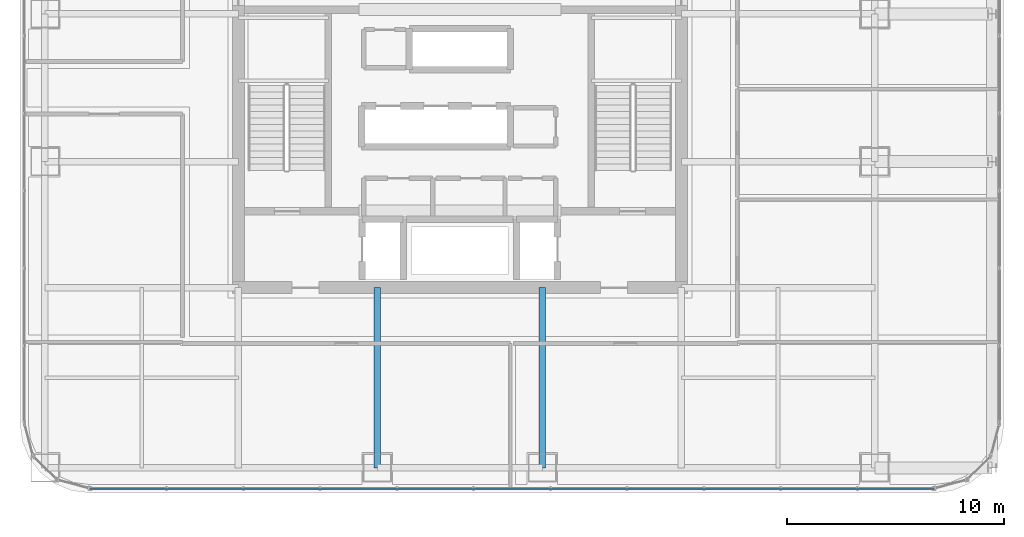
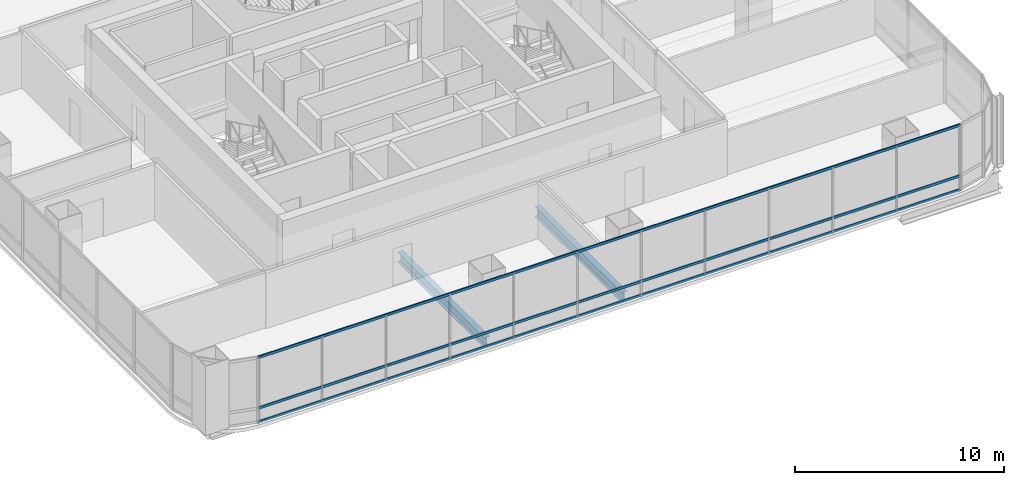
# One storey, part 7 of 39: 3 members, 2 beams, 1 element without a shape of its own.
"""IFC4 building model written with IfcOpenShell, lengths in metres."""

from ifc_helpers import new_model, si_unit, direction, frame, origin, origin_2d, place, context, subcontext, project, spatial, hollow_rectangle, i_section, extrude, material, material_profile, profile_set, type_object, element, aggregate, save


model = new_model("IFC4")

# Units and contexts
model_context = context("Model", 3, precision=1e-05, world=origin(), true_north=direction((0.0, 1.0)))
body_context = subcontext(model_context, "Body", "Model", "MODEL_VIEW")
ifc_project = project(units=[si_unit("LENGTHUNIT", "METRE"), si_unit("AREAUNIT", "SQUARE_METRE"), si_unit("VOLUMEUNIT", "CUBIC_METRE"), si_unit("PLANEANGLEUNIT", "RADIAN"), si_unit("MASSUNIT", "GRAM", prefix="KILO")], contexts=[model_context])

# Site, building, storey
site_placement = place(None, origin())
site = spatial("IfcSite", under=ifc_project, at=site_placement, CompositionType="ELEMENT")
building_placement = place(site_placement, origin())
building = spatial("IfcBuilding", under=site, at=building_placement, Name="Punatoya Terracotta Tower", CompositionType="ELEMENT")
storey_placement = place(building_placement, frame((0.0, 0.0, 275.699951171875)))
storey = spatial("IfcBuildingStorey", under=building, at=storey_placement, Name="L65", CompositionType="ELEMENT", Elevation=275.699951171875)

# Beams
ifc_material_1 = material(Name="Steel S355", Category="steel")
ifc_material_profile_1 = material_profile(ifc_material_1, i_section(OverallWidth=0.300048828125, OverallDepth=0.60009765625, WebThickness=0.015380859375, FlangeThickness=0.030029296875, FilletRadius=0.01806640625, at=origin_2d()))
ifc_profile_set_1 = profile_set([ifc_material_profile_1], Name="Steel S355")
beam_type = type_object("IfcBeamType", Name="BM-PRI-600", PredefinedType="BEAM", material=ifc_profile_set_1)
for number, where, z_axis, x_axis, name in (
    (1, (-3.800048828125, -17.5, -0.5), (0.0, 1.0, 0.0), (-1.0, 0.0, 0.0), "BM-L65-PR-S2"),
    (2, (3.800048828125, -17.5, -0.5), (0.0, 1.0, 0.0), (-1.0, 0.0, 0.0), "BM-L65-PR-S3"),
):
    element("IfcBeam", number, at=place(storey_placement, frame(where, z_axis=z_axis, x_axis=x_axis)), inside=storey, type_object=beam_type, Name=name, PredefinedType="BEAM", context=body_context, shape_type="SweptSolid", body=[
        extrude(i_section(OverallWidth=0.300048828125, OverallDepth=0.60009765625, WebThickness=0.015380859375, FlangeThickness=0.030029296875, FilletRadius=0.01806640625, at=origin_2d()), origin(), (0.0, 0.0, 1.0), 8.300048828125),
    ])

# Curtain wall, members
ifc_material_2 = material(Name="Aluminium 6063-T6 + Double Low-E Glass", Category="aluminium")
curtain_wall_type = type_object("IfcCurtainWallType", Name="CW-M3", PredefinedType="NOTDEFINED", material=ifc_material_2)
curtain_wall_placement = place(storey_placement, origin())
curtain_wall = element("IfcCurtainWall", 3, at=curtain_wall_placement, inside=storey, type_object=curtain_wall_type, Name="L65 Curtain Wall CW-L65-S01-1", PredefinedType="NOTDEFINED")
ifc_material_3 = material(Name="Aluminium 6063-T6", Category="aluminium")
ifc_material_profile_2 = material_profile(ifc_material_3, hollow_rectangle(XDim=0.068115234375, YDim=0.14990234375, WallThickness=0.00390625, at=origin_2d()))
ifc_profile_set_2 = profile_set([ifc_material_profile_2], Name="Aluminium 6063-T6")
member_type = type_object("IfcMemberType", Name="CW-TRN-TYP", PredefinedType="USERDEFINED", material=ifc_profile_set_2)
member_1_placement = place(storey_placement, frame((-17.036865234375, -18.449951171875, 0.0400390625), z_axis=(1.0, 0.0, 0.0), x_axis=(0.0, 1.0, 0.0)))
member_1 = element("IfcMember", 4, at=member_1_placement, type_object=member_type, Name="CW-L65-S01-1 Transom 1", ObjectType="TRANSOM", PredefinedType="USERDEFINED", context=body_context, shape_type="SweptSolid", body=[
    extrude(hollow_rectangle(XDim=0.068115234375, YDim=0.14990234375, WallThickness=0.00390625, at=origin_2d()), origin(), (0.0, 0.0, 1.0), 38.873779296875),
])
member_2_placement = place(storey_placement, frame((-17.036865234375, -18.449951171875, 0.85009765625), z_axis=(1.0, 0.0, 0.0), x_axis=(0.0, 1.0, 0.0)))
member_2 = element("IfcMember", 5, at=member_2_placement, type_object=member_type, Name="CW-L65-S01-1 Transom 2", ObjectType="TRANSOM", PredefinedType="USERDEFINED", context=body_context, shape_type="SweptSolid", body=[
    extrude(hollow_rectangle(XDim=0.068115234375, YDim=0.14990234375, WallThickness=0.00390625, at=origin_2d()), origin(), (0.0, 0.0, 1.0), 38.873779296875),
])
member_3_placement = place(storey_placement, frame((-17.036865234375, -18.449951171875, 3.81005859375), z_axis=(1.0, 0.0, 0.0), x_axis=(0.0, 1.0, 0.0)))
member_3 = element("IfcMember", 6, at=member_3_placement, type_object=member_type, Name="CW-L65-S01-1 Transom 3", ObjectType="TRANSOM", PredefinedType="USERDEFINED", context=body_context, shape_type="SweptSolid", body=[
    extrude(hollow_rectangle(XDim=0.068115234375, YDim=0.14990234375, WallThickness=0.00390625, at=origin_2d()), origin(), (0.0, 0.0, 1.0), 38.873779296875),
])
aggregate(curtain_wall, [member_1, member_2, member_3])

save(model, "model.ifc")
